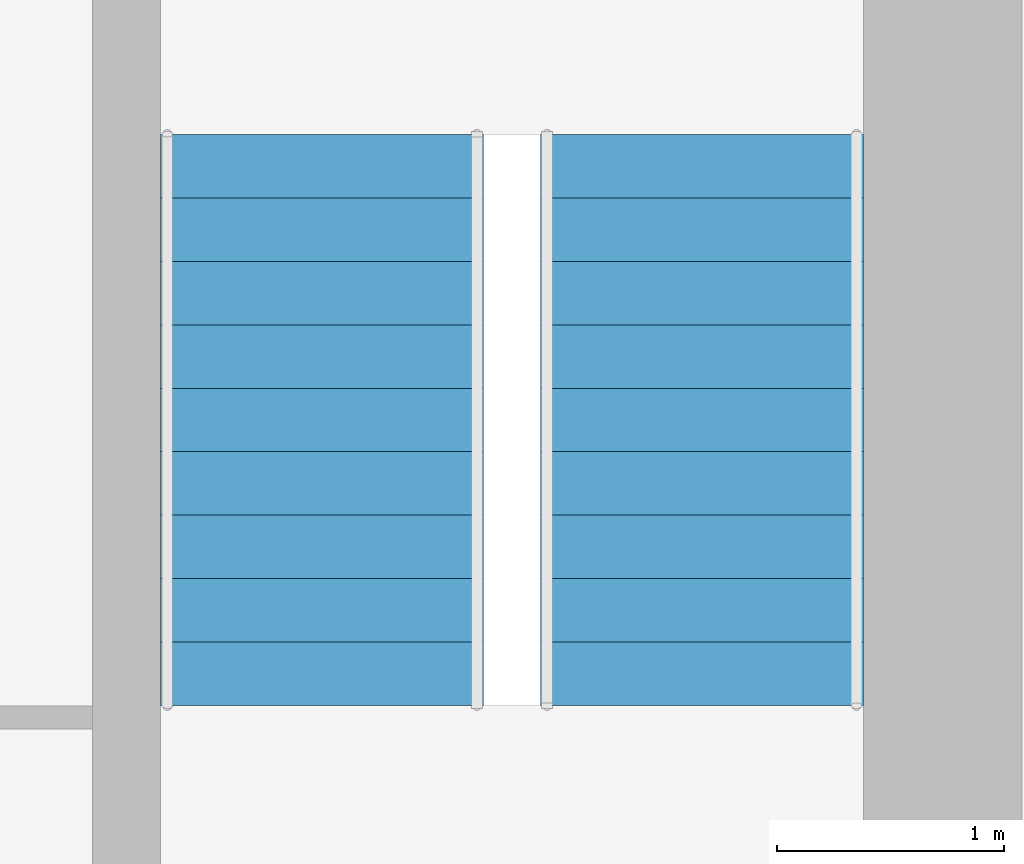
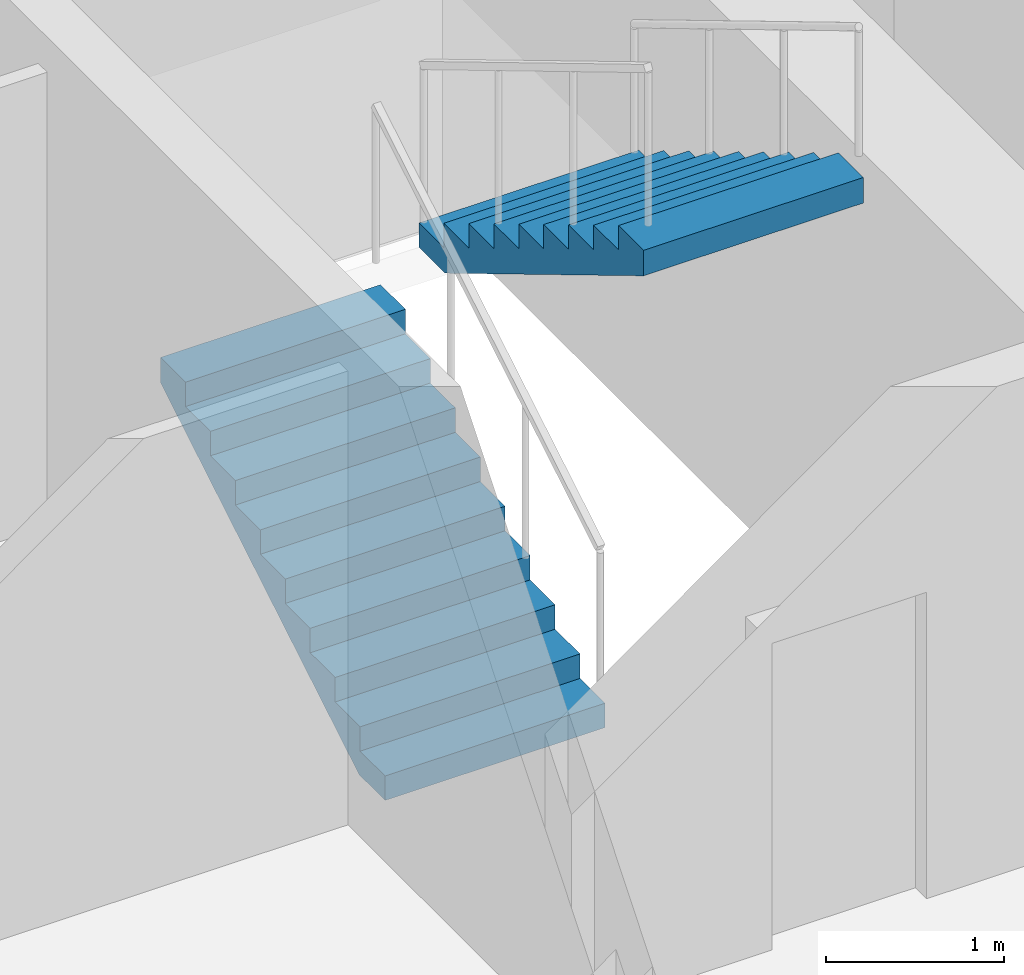
# One storey, part 22 of 23: 2 stair flights, 1 element without a shape of its own.
"""IFC4 building model written with IfcOpenShell, lengths in metres."""

from ifc_helpers import new_model, si_unit, direction, frame, origin, place, context, subcontext, project, spatial, polyline, outline, extrude, material, type_object, element, aggregate, save


model = new_model("IFC4")

# Units and contexts
model_context = context("Model", 3, precision=1e-05, world=origin(), true_north=direction((0.0, 1.0)))
body_context = subcontext(model_context, "Body", "Model", "MODEL_VIEW")
ifc_project = project(units=[si_unit("LENGTHUNIT", "METRE"), si_unit("AREAUNIT", "SQUARE_METRE"), si_unit("VOLUMEUNIT", "CUBIC_METRE"), si_unit("PLANEANGLEUNIT", "RADIAN"), si_unit("MASSUNIT", "GRAM", prefix="KILO")], contexts=[model_context])

# Site, building, storey
site_placement = place(None, origin())
site = spatial("IfcSite", under=ifc_project, at=site_placement, CompositionType="ELEMENT")
building_placement = place(site_placement, origin())
building = spatial("IfcBuilding", under=site, at=building_placement, Name="Jalousie Tower", CompositionType="ELEMENT")
storey_placement = place(building_placement, frame((0.0, 0.0, 157.699951171875)))
storey = spatial("IfcBuildingStorey", under=building, at=storey_placement, Name="L42", CompositionType="ELEMENT", Elevation=157.699951171875)

# Stair, stair flights
ifc_material_1 = material(Name="Concrete f'c 40 MPa", Category="concrete")
stair_type = type_object("IfcStairType", Name="EXIT STAIR", PredefinedType="HALF_TURN_STAIR", material=ifc_material_1)
stair_placement = place(storey_placement, origin())
stair = element("IfcStair", 1, at=stair_placement, inside=storey, type_object=stair_type, Name="Exit stair B L42", PredefinedType="HALF_TURN_STAIR")
ifc_material_2 = material(Name="Concrete f'c 40 MPa", Category="concrete")
stair_flight_type = type_object("IfcStairFlightType", Name="STAIR FLIGHT", PredefinedType="STRAIGHT", material=ifc_material_2)
stair_flight_1_placement = place(storey_placement, frame((41.0625, 21.50244140625, 0.0), z_axis=(0.0, 0.0, 1.0), x_axis=(0.0, 1.0, 0.0)))
stair_flight_1 = element("IfcStairFlight", 2, at=stair_flight_1_placement, type_object=stair_flight_type, Name="ST-B flight 1", NumberOfRisers=10, NumberOfTreads=9, PredefinedType="STRAIGHT", RiserHeight=0.1675, TreadLength=0.28, context=body_context, shape_type="SweptSolid", body=[
    extrude(outline(polyline([(0.0, 0.0), (0.0, 0.16748046875), (0.280029296875, 0.16748046875), (0.280029296875, 0.3349609375), (0.56005859375, 0.3349609375), (0.56005859375, 0.50244140625), (0.840087890625, 0.50244140625), (0.840087890625, 0.669921875), (1.1201171875, 0.669921875), (1.1201171875, 0.83740234375), (1.39990234375, 0.83740234375), (1.39990234375, 1.0048828125), (1.679931640625, 1.0048828125), (1.679931640625, 1.172607421875), (1.9599609375, 1.172607421875), (1.9599609375, 1.340087890625), (2.239990234375, 1.340087890625), (2.239990234375, 1.507568359375), (2.52001953125, 1.507568359375), (2.52001953125, 1.675048828125), (2.52001953125, 1.332763671875), (0.2919921875, 0.0), (0.0, 0.0)])), frame((0.0, 0.71240234375, 0.0), z_axis=(0.0, -1.0, 0.0), x_axis=(1.0, 0.0, 0.0)), (0.0, 0.0, 1.0), 1.425048828125),
])
stair_flight_2_placement = place(storey_placement, frame((42.737548828125, 24.0224609375, 1.675048828125), z_axis=(0.0, 0.0, 1.0), x_axis=(0.0, -1.0, 0.0)))
stair_flight_2 = element("IfcStairFlight", 3, at=stair_flight_2_placement, type_object=stair_flight_type, Name="ST-B flight 2", NumberOfRisers=10, NumberOfTreads=9, PredefinedType="STRAIGHT", RiserHeight=0.1675, TreadLength=0.28, context=body_context, shape_type="SweptSolid", body=[
    extrude(outline(polyline([(0.0, 0.0), (0.0, 0.16748046875), (0.280029296875, 0.16748046875), (0.280029296875, 0.3349609375), (0.56005859375, 0.3349609375), (0.56005859375, 0.50244140625), (0.840087890625, 0.50244140625), (0.840087890625, 0.669921875), (1.1201171875, 0.669921875), (1.1201171875, 0.83740234375), (1.39990234375, 0.83740234375), (1.39990234375, 1.0048828125), (1.679931640625, 1.0048828125), (1.679931640625, 1.172607421875), (1.9599609375, 1.172607421875), (1.9599609375, 1.340087890625), (2.239990234375, 1.340087890625), (2.239990234375, 1.507568359375), (2.52001953125, 1.507568359375), (2.52001953125, 1.675048828125), (2.52001953125, 1.332763671875), (0.2919921875, 0.0), (0.0, 0.0)])), frame((0.0, 0.71240234375, 0.0), z_axis=(0.0, -1.0, 0.0), x_axis=(1.0, 0.0, 0.0)), (0.0, 0.0, 1.0), 1.425048828125),
])
aggregate(stair, [stair_flight_1, stair_flight_2])

save(model, "model.ifc")
